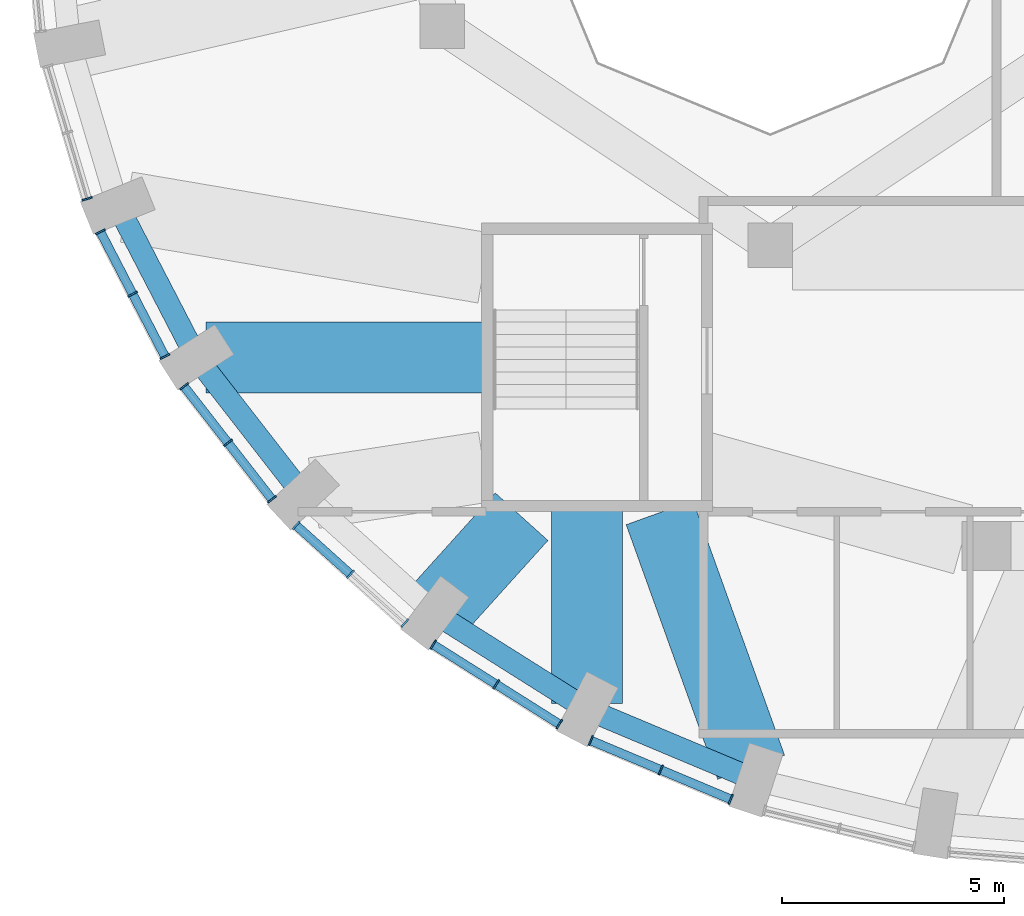
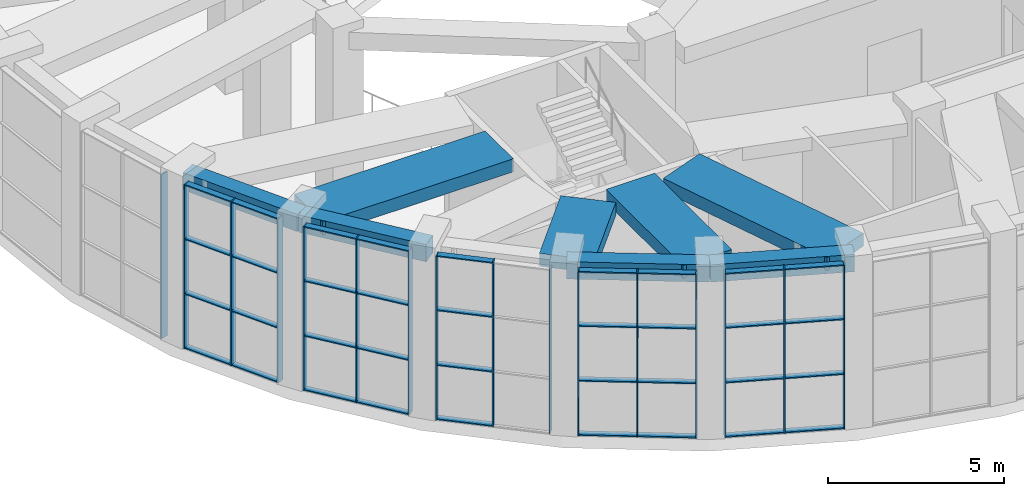
# One storey, part 2 of 20: 52 members, 8 beams, 6 elements without a shape of their own.
"""IFC4 building model written with IfcOpenShell, lengths in metres."""

from ifc_helpers import new_model, si_unit, direction, frame, origin, origin_2d, place, context, subcontext, project, spatial, rectangle, extrude, material, material_profile, profile_set, type_object, element, aggregate, save


model = new_model("IFC4")

# Units and contexts
model_context = context("Model", 3, precision=1e-05, world=origin(), true_north=direction((0.0, 1.0)))
body_context = subcontext(model_context, "Body", "Model", "MODEL_VIEW")
ifc_project = project(units=[si_unit("LENGTHUNIT", "METRE"), si_unit("AREAUNIT", "SQUARE_METRE"), si_unit("VOLUMEUNIT", "CUBIC_METRE"), si_unit("PLANEANGLEUNIT", "RADIAN"), si_unit("MASSUNIT", "GRAM", prefix="KILO")], contexts=[model_context])

# Site, building, storey
site_placement = place(None, origin())
site = spatial("IfcSite", under=ifc_project, at=site_placement, CompositionType="ELEMENT")
building_placement = place(site_placement, origin())
building = spatial("IfcBuilding", under=site, at=building_placement, Name="Taillehof Tower", CompositionType="ELEMENT")
storey_placement = place(building_placement, frame((0.0, 0.0, 269.199951171875)))
storey = spatial("IfcBuildingStorey", under=building, at=storey_placement, Name="L76", CompositionType="ELEMENT", Elevation=269.199951171875)

# Curtain wall, member
ifc_material_1 = material(Name="Aluminium curtain wall with Clear toughened laminated glass", Category="aluminium")
curtain_wall_type = type_object("IfcCurtainWallType", Name="Observation deck curtain wall", PredefinedType="USERDEFINED", material=ifc_material_1)
curtain_wall_1_placement = place(storey_placement, origin())
curtain_wall_1 = element("IfcCurtainWall", 1, at=curtain_wall_1_placement, inside=storey, type_object=curtain_wall_type, Name="Observation deck L76 bay 20", ObjectType="WINDOW WALL", PredefinedType="USERDEFINED")
ifc_material_2 = material(Name="Aluminium mullion", Category="aluminium")
ifc_material_profile_1 = material_profile(ifc_material_2, rectangle(XDim=0.239990234375, YDim=0.0400390625, at=origin_2d()), Name="AL 40x240")
ifc_profile_set_1 = profile_set([ifc_material_profile_1], Name="Aluminium mullion")
member_type_1 = type_object("IfcMemberType", Name="Observation deck mullion 40x240", PredefinedType="MULLION", material=ifc_profile_set_1)
member_1_placement = place(storey_placement, frame((-23.388671875, -6.951171875, 0.0), z_axis=(0.0, 0.0, 1.0), x_axis=(0.958457446134, 0.285235558707, 0.0)))
member_1 = element("IfcMember", 2, at=member_1_placement, type_object=member_type_1, Name="CT6E20 mullion 3", PredefinedType="MULLION", context=body_context, shape_type="SweptSolid", body=[
    extrude(rectangle(XDim=0.239990234375, YDim=0.0400390625, at=origin_2d()), origin(), (0.0, 0.0, 1.0), 5.699951171875),
])
aggregate(curtain_wall_1, [member_1])

# Curtain wall, members
curtain_wall_2_placement = place(storey_placement, origin())
curtain_wall_2 = element("IfcCurtainWall", 3, at=curtain_wall_2_placement, inside=storey, type_object=curtain_wall_type, Name="Observation deck L76 bay 21", ObjectType="WINDOW WALL", PredefinedType="USERDEFINED")
member_2_placement = place(storey_placement, frame((-23.08935546875, -7.693115234375, 0.0), z_axis=(0.0, 0.0, 1.0), x_axis=(0.887975262702, 0.459891218474, 0.0)))
member_2 = element("IfcMember", 4, at=member_2_placement, type_object=member_type_1, Name="CT6E21 mullion 1", PredefinedType="MULLION", context=body_context, shape_type="SweptSolid", body=[
    extrude(rectangle(XDim=0.239990234375, YDim=0.0400390625, at=origin_2d()), origin(), (0.0, 0.0, 1.0), 5.699951171875),
])
member_3_placement = place(storey_placement, frame((-22.362060546875, -9.097412109375, 0.0), z_axis=(0.0, 0.0, 1.0), x_axis=(0.887975262702, 0.459891218474, 0.0)))
member_3 = element("IfcMember", 5, at=member_3_placement, type_object=member_type_1, Name="CT6E21 mullion 2", PredefinedType="MULLION", context=body_context, shape_type="SweptSolid", body=[
    extrude(rectangle(XDim=0.239990234375, YDim=0.0400390625, at=origin_2d()), origin(), (0.0, 0.0, 1.0), 5.699951171875),
])
member_4_placement = place(storey_placement, frame((-21.634521484375, -10.501953125, 0.0), z_axis=(0.0, 0.0, 1.0), x_axis=(0.887975262702, 0.459891218474, 0.0)))
member_4 = element("IfcMember", 6, at=member_4_placement, type_object=member_type_1, Name="CT6E21 mullion 3", PredefinedType="MULLION", context=body_context, shape_type="SweptSolid", body=[
    extrude(rectangle(XDim=0.239990234375, YDim=0.0400390625, at=origin_2d()), origin(), (0.0, 0.0, 1.0), 5.699951171875),
])

curtain_wall_3_placement = place(storey_placement, origin())
curtain_wall_3 = element("IfcCurtainWall", 7, at=curtain_wall_3_placement, inside=storey, type_object=curtain_wall_type, Name="Observation deck L76 bay 22", ObjectType="WINDOW WALL", PredefinedType="USERDEFINED")
member_5_placement = place(storey_placement, frame((-21.203125, -11.17578125, 0.0), z_axis=(0.0, 0.0, 1.0), x_axis=(0.789381612432, 0.613902818005, 0.0)))
member_5 = element("IfcMember", 8, at=member_5_placement, type_object=member_type_1, Name="CT6E22 mullion 1", PredefinedType="MULLION", context=body_context, shape_type="SweptSolid", body=[
    extrude(rectangle(XDim=0.239990234375, YDim=0.0400390625, at=origin_2d()), origin(), (0.0, 0.0, 1.0), 5.699951171875),
])
member_6_placement = place(storey_placement, frame((-20.21337890625, -12.448486328125, 0.0), z_axis=(0.0, 0.0, 1.0), x_axis=(0.789381612432, 0.613902818005, 0.0)))
member_6 = element("IfcMember", 9, at=member_6_placement, type_object=member_type_1, Name="CT6E22 mullion 2", PredefinedType="MULLION", context=body_context, shape_type="SweptSolid", body=[
    extrude(rectangle(XDim=0.239990234375, YDim=0.0400390625, at=origin_2d()), origin(), (0.0, 0.0, 1.0), 5.699951171875),
])
member_7_placement = place(storey_placement, frame((-19.2236328125, -13.720947265625, 0.0), z_axis=(0.0, 0.0, 1.0), x_axis=(0.789381612432, 0.613902818005, 0.0)))
member_7 = element("IfcMember", 10, at=member_7_placement, type_object=member_type_1, Name="CT6E22 mullion 3", PredefinedType="MULLION", context=body_context, shape_type="SweptSolid", body=[
    extrude(rectangle(XDim=0.239990234375, YDim=0.0400390625, at=origin_2d()), origin(), (0.0, 0.0, 1.0), 5.699951171875),
])

curtain_wall_4_placement = place(storey_placement, origin())
curtain_wall_4 = element("IfcCurtainWall", 11, at=curtain_wall_4_placement, inside=storey, type_object=curtain_wall_type, Name="Observation deck L76 bay 23", ObjectType="WINDOW WALL", PredefinedType="USERDEFINED")
member_8_placement = place(storey_placement, frame((-18.6787109375, -14.306640625, 0.0), z_axis=(0.0, 0.0, 1.0), x_axis=(0.669107157872, 0.74316593792, 0.0)))
member_8 = element("IfcMember", 12, at=member_8_placement, type_object=member_type_1, Name="CT6E23 mullion 1", PredefinedType="MULLION", context=body_context, shape_type="SweptSolid", body=[
    extrude(rectangle(XDim=0.239990234375, YDim=0.0400390625, at=origin_2d()), origin(), (0.0, 0.0, 1.0), 5.699951171875),
])
member_9_placement = place(storey_placement, frame((-17.455078125, -15.408447265625, 0.0), z_axis=(0.0, 0.0, 1.0), x_axis=(0.669107157872, 0.74316593792, 0.0)))
member_9 = element("IfcMember", 13, at=member_9_placement, type_object=member_type_1, Name="CT6E23 mullion 2", PredefinedType="MULLION", context=body_context, shape_type="SweptSolid", body=[
    extrude(rectangle(XDim=0.239990234375, YDim=0.0400390625, at=origin_2d()), origin(), (0.0, 0.0, 1.0), 5.699951171875),
])
member_10_placement = place(storey_placement, frame((-16.231689453125, -16.510009765625, 0.0), z_axis=(0.0, 0.0, 1.0), x_axis=(0.669107157872, 0.74316593792, 0.0)))
member_10 = element("IfcMember", 14, at=member_10_placement, type_object=member_type_1, Name="CT6E23 mullion 3", PredefinedType="MULLION", context=body_context, shape_type="SweptSolid", body=[
    extrude(rectangle(XDim=0.239990234375, YDim=0.0400390625, at=origin_2d()), origin(), (0.0, 0.0, 1.0), 5.699951171875),
])

curtain_wall_5_placement = place(storey_placement, origin())
curtain_wall_5 = element("IfcCurtainWall", 15, at=curtain_wall_5_placement, inside=storey, type_object=curtain_wall_type, Name="Observation deck L76 bay 24", ObjectType="WINDOW WALL", PredefinedType="USERDEFINED")
member_11_placement = place(storey_placement, frame((-15.593505859375, -16.99267578125, 0.0), z_axis=(0.0, 0.0, 1.0), x_axis=(0.533294430468, 0.845929695916, 0.0)))
member_11 = element("IfcMember", 16, at=member_11_placement, type_object=member_type_1, Name="CT6E24 mullion 1", PredefinedType="MULLION", context=body_context, shape_type="SweptSolid", body=[
    extrude(rectangle(XDim=0.239990234375, YDim=0.0400390625, at=origin_2d()), origin(), (0.0, 0.0, 1.0), 5.699951171875),
])
member_12_placement = place(storey_placement, frame((-14.17236328125, -17.888671875, 0.0), z_axis=(0.0, 0.0, 1.0), x_axis=(0.533294430468, 0.845929695916, 0.0)))
member_12 = element("IfcMember", 17, at=member_12_placement, type_object=member_type_1, Name="CT6E24 mullion 2", PredefinedType="MULLION", context=body_context, shape_type="SweptSolid", body=[
    extrude(rectangle(XDim=0.239990234375, YDim=0.0400390625, at=origin_2d()), origin(), (0.0, 0.0, 1.0), 5.699951171875),
])
member_13_placement = place(storey_placement, frame((-12.7509765625, -18.78466796875, 0.0), z_axis=(0.0, 0.0, 1.0), x_axis=(0.533294430468, 0.845929695916, 0.0)))
member_13 = element("IfcMember", 18, at=member_13_placement, type_object=member_type_1, Name="CT6E24 mullion 3", PredefinedType="MULLION", context=body_context, shape_type="SweptSolid", body=[
    extrude(rectangle(XDim=0.239990234375, YDim=0.0400390625, at=origin_2d()), origin(), (0.0, 0.0, 1.0), 5.699951171875),
])

curtain_wall_6_placement = place(storey_placement, origin())
curtain_wall_6 = element("IfcCurtainWall", 19, at=curtain_wall_6_placement, inside=storey, type_object=curtain_wall_type, Name="Observation deck L76 bay 25", ObjectType="WINDOW WALL", PredefinedType="USERDEFINED")
member_14_placement = place(storey_placement, frame((-12.041259765625, -19.154052734375, 0.0), z_axis=(0.0, 0.0, 1.0), x_axis=(0.387100713636, 0.922037438233, 0.0)))
member_14 = element("IfcMember", 20, at=member_14_placement, type_object=member_type_1, Name="CT6E25 mullion 1", PredefinedType="MULLION", context=body_context, shape_type="SweptSolid", body=[
    extrude(rectangle(XDim=0.239990234375, YDim=0.0400390625, at=origin_2d()), origin(), (0.0, 0.0, 1.0), 5.699951171875),
])
member_15_placement = place(storey_placement, frame((-10.46533203125, -19.81591796875, 0.0), z_axis=(0.0, 0.0, 1.0), x_axis=(0.387100713636, 0.922037438233, 0.0)))
member_15 = element("IfcMember", 21, at=member_15_placement, type_object=member_type_1, Name="CT6E25 mullion 2", PredefinedType="MULLION", context=body_context, shape_type="SweptSolid", body=[
    extrude(rectangle(XDim=0.239990234375, YDim=0.0400390625, at=origin_2d()), origin(), (0.0, 0.0, 1.0), 5.699951171875),
])
member_16_placement = place(storey_placement, frame((-8.88916015625, -20.4775390625, 0.0), z_axis=(0.0, 0.0, 1.0), x_axis=(0.387100713636, 0.922037438233, 0.0)))
member_16 = element("IfcMember", 22, at=member_16_placement, type_object=member_type_1, Name="CT6E25 mullion 3", PredefinedType="MULLION", context=body_context, shape_type="SweptSolid", body=[
    extrude(rectangle(XDim=0.239990234375, YDim=0.0400390625, at=origin_2d()), origin(), (0.0, 0.0, 1.0), 5.699951171875),
])

# Member
ifc_material_3 = material(Name="Aluminium transom", Category="aluminium")
ifc_material_profile_2 = material_profile(ifc_material_3, rectangle(XDim=0.199951171875, YDim=0.0400390625, at=origin_2d()), Name="AL 200x40")
ifc_profile_set_2 = profile_set([ifc_material_profile_2], Name="Aluminium transom")
member_type_2 = type_object("IfcMemberType", Name="Observation deck transom 200x40", PredefinedType="USERDEFINED", material=ifc_profile_set_2)
member_17_placement = place(storey_placement, frame((-23.080078125, -7.710693359375, 0.02001953125), z_axis=(0.459836410267, -0.888003646272, 0.0), x_axis=(0.888003646272, 0.459836410267, 0.0)))
member_17 = element("IfcMember", 23, at=member_17_placement, type_object=member_type_2, Name="CT6E21 transom 1.1", ObjectType="TRANSOM", PredefinedType="USERDEFINED", context=body_context, shape_type="SweptSolid", body=[
    extrude(rectangle(XDim=0.199951171875, YDim=0.0400390625, at=origin_2d()), origin(), (0.0, 0.0, 1.0), 1.541748046875),
])

member_18_placement = place(storey_placement, frame((-23.080078125, -7.710693359375, 1.900146484375), z_axis=(0.459836410267, -0.888003646272, 0.0), x_axis=(0.888003646272, 0.459836410267, 0.0)))
member_18 = element("IfcMember", 24, at=member_18_placement, type_object=member_type_2, Name="CT6E21 transom 1.2", ObjectType="TRANSOM", PredefinedType="USERDEFINED", context=body_context, shape_type="SweptSolid", body=[
    extrude(rectangle(XDim=0.199951171875, YDim=0.0400390625, at=origin_2d()), origin(), (0.0, 0.0, 1.0), 1.541748046875),
])

member_19_placement = place(storey_placement, frame((-23.080078125, -7.710693359375, 3.800048828125), z_axis=(0.459836410267, -0.888003646272, 0.0), x_axis=(0.888003646272, 0.459836410267, 0.0)))
member_19 = element("IfcMember", 25, at=member_19_placement, type_object=member_type_2, Name="CT6E21 transom 1.3", ObjectType="TRANSOM", PredefinedType="USERDEFINED", context=body_context, shape_type="SweptSolid", body=[
    extrude(rectangle(XDim=0.199951171875, YDim=0.0400390625, at=origin_2d()), origin(), (0.0, 0.0, 1.0), 1.541748046875),
])

member_20_placement = place(storey_placement, frame((-23.080078125, -7.710693359375, 5.679931640625), z_axis=(0.459836410267, -0.888003646272, 0.0), x_axis=(0.888003646272, 0.459836410267, 0.0)))
member_20 = element("IfcMember", 26, at=member_20_placement, type_object=member_type_2, Name="CT6E21 transom 1.4", ObjectType="TRANSOM", PredefinedType="USERDEFINED", context=body_context, shape_type="SweptSolid", body=[
    extrude(rectangle(XDim=0.199951171875, YDim=0.0400390625, at=origin_2d()), origin(), (0.0, 0.0, 1.0), 1.541748046875),
])

member_21_placement = place(storey_placement, frame((-22.352783203125, -9.115234375, 0.02001953125), z_axis=(0.459901076525, -0.88797015705, 0.0), x_axis=(0.88797015705, 0.459901076525, 0.0)))
member_21 = element("IfcMember", 27, at=member_21_placement, type_object=member_type_2, Name="CT6E21 transom 2.1", ObjectType="TRANSOM", PredefinedType="USERDEFINED", context=body_context, shape_type="SweptSolid", body=[
    extrude(rectangle(XDim=0.199951171875, YDim=0.0400390625, at=origin_2d()), origin(), (0.0, 0.0, 1.0), 1.54150390625),
])

member_22_placement = place(storey_placement, frame((-22.352783203125, -9.115234375, 1.900146484375), z_axis=(0.459901076525, -0.88797015705, 0.0), x_axis=(0.88797015705, 0.459901076525, 0.0)))
member_22 = element("IfcMember", 28, at=member_22_placement, type_object=member_type_2, Name="CT6E21 transom 2.2", ObjectType="TRANSOM", PredefinedType="USERDEFINED", context=body_context, shape_type="SweptSolid", body=[
    extrude(rectangle(XDim=0.199951171875, YDim=0.0400390625, at=origin_2d()), origin(), (0.0, 0.0, 1.0), 1.54150390625),
])

member_23_placement = place(storey_placement, frame((-22.352783203125, -9.115234375, 3.800048828125), z_axis=(0.459901076525, -0.88797015705, 0.0), x_axis=(0.88797015705, 0.459901076525, 0.0)))
member_23 = element("IfcMember", 29, at=member_23_placement, type_object=member_type_2, Name="CT6E21 transom 2.3", ObjectType="TRANSOM", PredefinedType="USERDEFINED", context=body_context, shape_type="SweptSolid", body=[
    extrude(rectangle(XDim=0.199951171875, YDim=0.0400390625, at=origin_2d()), origin(), (0.0, 0.0, 1.0), 1.54150390625),
])

member_24_placement = place(storey_placement, frame((-22.352783203125, -9.115234375, 5.679931640625), z_axis=(0.459901076525, -0.88797015705, 0.0), x_axis=(0.88797015705, 0.459901076525, 0.0)))
member_24 = element("IfcMember", 30, at=member_24_placement, type_object=member_type_2, Name="CT6E21 transom 2.4", ObjectType="TRANSOM", PredefinedType="USERDEFINED", context=body_context, shape_type="SweptSolid", body=[
    extrude(rectangle(XDim=0.199951171875, YDim=0.0400390625, at=origin_2d()), origin(), (0.0, 0.0, 1.0), 1.54150390625),
])

aggregate(curtain_wall_2, [member_2, member_3, member_4, member_17, member_18, member_19, member_20, member_21, member_22, member_23, member_24])

member_25_placement = place(storey_placement, frame((-21.19091796875, -11.19140625, 0.02001953125), z_axis=(0.613822354834, -0.789444182134, 0.0), x_axis=(0.789444182134, 0.613822354834, 0.0)))
member_25 = element("IfcMember", 31, at=member_25_placement, type_object=member_type_2, Name="CT6E22 transom 1.1", ObjectType="TRANSOM", PredefinedType="USERDEFINED", context=body_context, shape_type="SweptSolid", body=[
    extrude(rectangle(XDim=0.199951171875, YDim=0.0400390625, at=origin_2d()), origin(), (0.0, 0.0, 1.0), 1.572265625),
])

member_26_placement = place(storey_placement, frame((-21.19091796875, -11.19140625, 1.900146484375), z_axis=(0.613822354834, -0.789444182134, 0.0), x_axis=(0.789444182134, 0.613822354834, 0.0)))
member_26 = element("IfcMember", 32, at=member_26_placement, type_object=member_type_2, Name="CT6E22 transom 1.2", ObjectType="TRANSOM", PredefinedType="USERDEFINED", context=body_context, shape_type="SweptSolid", body=[
    extrude(rectangle(XDim=0.199951171875, YDim=0.0400390625, at=origin_2d()), origin(), (0.0, 0.0, 1.0), 1.572265625),
])

member_27_placement = place(storey_placement, frame((-21.19091796875, -11.19140625, 3.800048828125), z_axis=(0.613822354834, -0.789444182134, 0.0), x_axis=(0.789444182134, 0.613822354834, 0.0)))
member_27 = element("IfcMember", 33, at=member_27_placement, type_object=member_type_2, Name="CT6E22 transom 1.3", ObjectType="TRANSOM", PredefinedType="USERDEFINED", context=body_context, shape_type="SweptSolid", body=[
    extrude(rectangle(XDim=0.199951171875, YDim=0.0400390625, at=origin_2d()), origin(), (0.0, 0.0, 1.0), 1.572265625),
])

member_28_placement = place(storey_placement, frame((-21.19091796875, -11.19140625, 5.679931640625), z_axis=(0.613822354834, -0.789444182134, 0.0), x_axis=(0.789444182134, 0.613822354834, 0.0)))
member_28 = element("IfcMember", 34, at=member_28_placement, type_object=member_type_2, Name="CT6E22 transom 1.4", ObjectType="TRANSOM", PredefinedType="USERDEFINED", context=body_context, shape_type="SweptSolid", body=[
    extrude(rectangle(XDim=0.199951171875, YDim=0.0400390625, at=origin_2d()), origin(), (0.0, 0.0, 1.0), 1.572265625),
])

member_29_placement = place(storey_placement, frame((-20.201171875, -12.464111328125, 0.02001953125), z_axis=(0.613822354834, -0.789444182134, 0.0), x_axis=(0.789444182134, 0.613822354834, 0.0)))
member_29 = element("IfcMember", 35, at=member_29_placement, type_object=member_type_2, Name="CT6E22 transom 2.1", ObjectType="TRANSOM", PredefinedType="USERDEFINED", context=body_context, shape_type="SweptSolid", body=[
    extrude(rectangle(XDim=0.199951171875, YDim=0.0400390625, at=origin_2d()), origin(), (0.0, 0.0, 1.0), 1.572265625),
])

member_30_placement = place(storey_placement, frame((-20.201171875, -12.464111328125, 1.900146484375), z_axis=(0.613822354834, -0.789444182134, 0.0), x_axis=(0.789444182134, 0.613822354834, 0.0)))
member_30 = element("IfcMember", 36, at=member_30_placement, type_object=member_type_2, Name="CT6E22 transom 2.2", ObjectType="TRANSOM", PredefinedType="USERDEFINED", context=body_context, shape_type="SweptSolid", body=[
    extrude(rectangle(XDim=0.199951171875, YDim=0.0400390625, at=origin_2d()), origin(), (0.0, 0.0, 1.0), 1.572265625),
])

member_31_placement = place(storey_placement, frame((-20.201171875, -12.464111328125, 3.800048828125), z_axis=(0.613822354834, -0.789444182134, 0.0), x_axis=(0.789444182134, 0.613822354834, 0.0)))
member_31 = element("IfcMember", 37, at=member_31_placement, type_object=member_type_2, Name="CT6E22 transom 2.3", ObjectType="TRANSOM", PredefinedType="USERDEFINED", context=body_context, shape_type="SweptSolid", body=[
    extrude(rectangle(XDim=0.199951171875, YDim=0.0400390625, at=origin_2d()), origin(), (0.0, 0.0, 1.0), 1.572265625),
])

member_32_placement = place(storey_placement, frame((-20.201171875, -12.464111328125, 5.679931640625), z_axis=(0.613822354834, -0.789444182134, 0.0), x_axis=(0.789444182134, 0.613822354834, 0.0)))
member_32 = element("IfcMember", 38, at=member_32_placement, type_object=member_type_2, Name="CT6E22 transom 2.4", ObjectType="TRANSOM", PredefinedType="USERDEFINED", context=body_context, shape_type="SweptSolid", body=[
    extrude(rectangle(XDim=0.199951171875, YDim=0.0400390625, at=origin_2d()), origin(), (0.0, 0.0, 1.0), 1.572265625),
])

aggregate(curtain_wall_3, [member_5, member_6, member_7, member_25, member_26, member_27, member_28, member_29, member_30, member_31, member_32])

member_33_placement = place(storey_placement, frame((-18.663818359375, -14.320068359375, 0.02001953125), z_axis=(0.74314299492, -0.669132639393, 0.0), x_axis=(0.669132639393, 0.74314299492, 0.0)))
member_33 = element("IfcMember", 39, at=member_33_placement, type_object=member_type_2, Name="CT6E23 transom 1.1", ObjectType="TRANSOM", PredefinedType="USERDEFINED", context=body_context, shape_type="SweptSolid", body=[
    extrude(rectangle(XDim=0.199951171875, YDim=0.0400390625, at=origin_2d()), origin(), (0.0, 0.0, 1.0), 1.6064453125),
])

member_34_placement = place(storey_placement, frame((-18.663818359375, -14.320068359375, 1.900146484375), z_axis=(0.74314299492, -0.669132639393, 0.0), x_axis=(0.669132639393, 0.74314299492, 0.0)))
member_34 = element("IfcMember", 40, at=member_34_placement, type_object=member_type_2, Name="CT6E23 transom 1.2", ObjectType="TRANSOM", PredefinedType="USERDEFINED", context=body_context, shape_type="SweptSolid", body=[
    extrude(rectangle(XDim=0.199951171875, YDim=0.0400390625, at=origin_2d()), origin(), (0.0, 0.0, 1.0), 1.6064453125),
])

member_35_placement = place(storey_placement, frame((-18.663818359375, -14.320068359375, 3.800048828125), z_axis=(0.74314299492, -0.669132639393, 0.0), x_axis=(0.669132639393, 0.74314299492, 0.0)))
member_35 = element("IfcMember", 41, at=member_35_placement, type_object=member_type_2, Name="CT6E23 transom 1.3", ObjectType="TRANSOM", PredefinedType="USERDEFINED", context=body_context, shape_type="SweptSolid", body=[
    extrude(rectangle(XDim=0.199951171875, YDim=0.0400390625, at=origin_2d()), origin(), (0.0, 0.0, 1.0), 1.6064453125),
])

member_36_placement = place(storey_placement, frame((-18.663818359375, -14.320068359375, 5.679931640625), z_axis=(0.74314299492, -0.669132639393, 0.0), x_axis=(0.669132639393, 0.74314299492, 0.0)))
member_36 = element("IfcMember", 42, at=member_36_placement, type_object=member_type_2, Name="CT6E23 transom 1.4", ObjectType="TRANSOM", PredefinedType="USERDEFINED", context=body_context, shape_type="SweptSolid", body=[
    extrude(rectangle(XDim=0.199951171875, YDim=0.0400390625, at=origin_2d()), origin(), (0.0, 0.0, 1.0), 1.6064453125),
])

aggregate(curtain_wall_4, [member_8, member_9, member_10, member_33, member_34, member_35, member_36])

member_37_placement = place(storey_placement, frame((-15.57666015625, -17.00341796875, 0.02001953125), z_axis=(0.845909544428, -0.533326394102, 0.0), x_axis=(0.533326394102, 0.845909544428, 0.0)))
member_37 = element("IfcMember", 43, at=member_37_placement, type_object=member_type_2, Name="CT6E24 transom 1.1", ObjectType="TRANSOM", PredefinedType="USERDEFINED", context=body_context, shape_type="SweptSolid", body=[
    extrude(rectangle(XDim=0.199951171875, YDim=0.0400390625, at=origin_2d()), origin(), (0.0, 0.0, 1.0), 1.64013671875),
])

member_38_placement = place(storey_placement, frame((-15.57666015625, -17.00341796875, 1.900146484375), z_axis=(0.845909544428, -0.533326394102, 0.0), x_axis=(0.533326394102, 0.845909544428, 0.0)))
member_38 = element("IfcMember", 44, at=member_38_placement, type_object=member_type_2, Name="CT6E24 transom 1.2", ObjectType="TRANSOM", PredefinedType="USERDEFINED", context=body_context, shape_type="SweptSolid", body=[
    extrude(rectangle(XDim=0.199951171875, YDim=0.0400390625, at=origin_2d()), origin(), (0.0, 0.0, 1.0), 1.64013671875),
])

member_39_placement = place(storey_placement, frame((-15.57666015625, -17.00341796875, 3.800048828125), z_axis=(0.845909544428, -0.533326394102, 0.0), x_axis=(0.533326394102, 0.845909544428, 0.0)))
member_39 = element("IfcMember", 45, at=member_39_placement, type_object=member_type_2, Name="CT6E24 transom 1.3", ObjectType="TRANSOM", PredefinedType="USERDEFINED", context=body_context, shape_type="SweptSolid", body=[
    extrude(rectangle(XDim=0.199951171875, YDim=0.0400390625, at=origin_2d()), origin(), (0.0, 0.0, 1.0), 1.64013671875),
])

member_40_placement = place(storey_placement, frame((-15.57666015625, -17.00341796875, 5.679931640625), z_axis=(0.845909544428, -0.533326394102, 0.0), x_axis=(0.533326394102, 0.845909544428, 0.0)))
member_40 = element("IfcMember", 46, at=member_40_placement, type_object=member_type_2, Name="CT6E24 transom 1.4", ObjectType="TRANSOM", PredefinedType="USERDEFINED", context=body_context, shape_type="SweptSolid", body=[
    extrude(rectangle(XDim=0.199951171875, YDim=0.0400390625, at=origin_2d()), origin(), (0.0, 0.0, 1.0), 1.64013671875),
])

member_41_placement = place(storey_placement, frame((-14.1552734375, -17.8994140625, 0.02001953125), z_axis=(0.845909544428, -0.533326394102, 0.0), x_axis=(0.533326394102, 0.845909544428, 0.0)))
member_41 = element("IfcMember", 47, at=member_41_placement, type_object=member_type_2, Name="CT6E24 transom 2.1", ObjectType="TRANSOM", PredefinedType="USERDEFINED", context=body_context, shape_type="SweptSolid", body=[
    extrude(rectangle(XDim=0.199951171875, YDim=0.0400390625, at=origin_2d()), origin(), (0.0, 0.0, 1.0), 1.64013671875),
])

member_42_placement = place(storey_placement, frame((-14.1552734375, -17.8994140625, 1.900146484375), z_axis=(0.845909544428, -0.533326394102, 0.0), x_axis=(0.533326394102, 0.845909544428, 0.0)))
member_42 = element("IfcMember", 48, at=member_42_placement, type_object=member_type_2, Name="CT6E24 transom 2.2", ObjectType="TRANSOM", PredefinedType="USERDEFINED", context=body_context, shape_type="SweptSolid", body=[
    extrude(rectangle(XDim=0.199951171875, YDim=0.0400390625, at=origin_2d()), origin(), (0.0, 0.0, 1.0), 1.64013671875),
])

member_43_placement = place(storey_placement, frame((-14.1552734375, -17.8994140625, 3.800048828125), z_axis=(0.845909544428, -0.533326394102, 0.0), x_axis=(0.533326394102, 0.845909544428, 0.0)))
member_43 = element("IfcMember", 49, at=member_43_placement, type_object=member_type_2, Name="CT6E24 transom 2.3", ObjectType="TRANSOM", PredefinedType="USERDEFINED", context=body_context, shape_type="SweptSolid", body=[
    extrude(rectangle(XDim=0.199951171875, YDim=0.0400390625, at=origin_2d()), origin(), (0.0, 0.0, 1.0), 1.64013671875),
])

member_44_placement = place(storey_placement, frame((-14.1552734375, -17.8994140625, 5.679931640625), z_axis=(0.845909544428, -0.533326394102, 0.0), x_axis=(0.533326394102, 0.845909544428, 0.0)))
member_44 = element("IfcMember", 50, at=member_44_placement, type_object=member_type_2, Name="CT6E24 transom 2.4", ObjectType="TRANSOM", PredefinedType="USERDEFINED", context=body_context, shape_type="SweptSolid", body=[
    extrude(rectangle(XDim=0.199951171875, YDim=0.0400390625, at=origin_2d()), origin(), (0.0, 0.0, 1.0), 1.64013671875),
])

aggregate(curtain_wall_5, [member_11, member_12, member_13, member_37, member_38, member_39, member_40, member_41, member_42, member_43, member_44])

member_45_placement = place(storey_placement, frame((-12.02294921875, -19.161865234375, 0.02001953125), z_axis=(0.922039527132, -0.387095738036, 0.0), x_axis=(0.387095738036, 0.922039527132, 0.0)))
member_45 = element("IfcMember", 51, at=member_45_placement, type_object=member_type_2, Name="CT6E25 transom 1.1", ObjectType="TRANSOM", PredefinedType="USERDEFINED", context=body_context, shape_type="SweptSolid", body=[
    extrude(rectangle(XDim=0.199951171875, YDim=0.0400390625, at=origin_2d()), origin(), (0.0, 0.0, 1.0), 1.66943359375),
])

member_46_placement = place(storey_placement, frame((-12.02294921875, -19.161865234375, 1.900146484375), z_axis=(0.922039527132, -0.387095738036, 0.0), x_axis=(0.387095738036, 0.922039527132, 0.0)))
member_46 = element("IfcMember", 52, at=member_46_placement, type_object=member_type_2, Name="CT6E25 transom 1.2", ObjectType="TRANSOM", PredefinedType="USERDEFINED", context=body_context, shape_type="SweptSolid", body=[
    extrude(rectangle(XDim=0.199951171875, YDim=0.0400390625, at=origin_2d()), origin(), (0.0, 0.0, 1.0), 1.66943359375),
])

member_47_placement = place(storey_placement, frame((-12.02294921875, -19.161865234375, 3.800048828125), z_axis=(0.922039527132, -0.387095738036, 0.0), x_axis=(0.387095738036, 0.922039527132, 0.0)))
member_47 = element("IfcMember", 53, at=member_47_placement, type_object=member_type_2, Name="CT6E25 transom 1.3", ObjectType="TRANSOM", PredefinedType="USERDEFINED", context=body_context, shape_type="SweptSolid", body=[
    extrude(rectangle(XDim=0.199951171875, YDim=0.0400390625, at=origin_2d()), origin(), (0.0, 0.0, 1.0), 1.66943359375),
])

member_48_placement = place(storey_placement, frame((-12.02294921875, -19.161865234375, 5.679931640625), z_axis=(0.922039527132, -0.387095738036, 0.0), x_axis=(0.387095738036, 0.922039527132, 0.0)))
member_48 = element("IfcMember", 54, at=member_48_placement, type_object=member_type_2, Name="CT6E25 transom 1.4", ObjectType="TRANSOM", PredefinedType="USERDEFINED", context=body_context, shape_type="SweptSolid", body=[
    extrude(rectangle(XDim=0.199951171875, YDim=0.0400390625, at=origin_2d()), origin(), (0.0, 0.0, 1.0), 1.66943359375),
])

member_49_placement = place(storey_placement, frame((-10.44677734375, -19.82373046875, 0.02001953125), z_axis=(0.922039527132, -0.387095738036, 0.0), x_axis=(0.387095738036, 0.922039527132, 0.0)))
member_49 = element("IfcMember", 55, at=member_49_placement, type_object=member_type_2, Name="CT6E25 transom 2.1", ObjectType="TRANSOM", PredefinedType="USERDEFINED", context=body_context, shape_type="SweptSolid", body=[
    extrude(rectangle(XDim=0.199951171875, YDim=0.0400390625, at=origin_2d()), origin(), (0.0, 0.0, 1.0), 1.66943359375),
])

member_50_placement = place(storey_placement, frame((-10.44677734375, -19.82373046875, 1.900146484375), z_axis=(0.922039527132, -0.387095738036, 0.0), x_axis=(0.387095738036, 0.922039527132, 0.0)))
member_50 = element("IfcMember", 56, at=member_50_placement, type_object=member_type_2, Name="CT6E25 transom 2.2", ObjectType="TRANSOM", PredefinedType="USERDEFINED", context=body_context, shape_type="SweptSolid", body=[
    extrude(rectangle(XDim=0.199951171875, YDim=0.0400390625, at=origin_2d()), origin(), (0.0, 0.0, 1.0), 1.66943359375),
])

member_51_placement = place(storey_placement, frame((-10.44677734375, -19.82373046875, 3.800048828125), z_axis=(0.922039527132, -0.387095738036, 0.0), x_axis=(0.387095738036, 0.922039527132, 0.0)))
member_51 = element("IfcMember", 57, at=member_51_placement, type_object=member_type_2, Name="CT6E25 transom 2.3", ObjectType="TRANSOM", PredefinedType="USERDEFINED", context=body_context, shape_type="SweptSolid", body=[
    extrude(rectangle(XDim=0.199951171875, YDim=0.0400390625, at=origin_2d()), origin(), (0.0, 0.0, 1.0), 1.66943359375),
])

member_52_placement = place(storey_placement, frame((-10.44677734375, -19.82373046875, 5.679931640625), z_axis=(0.922039527132, -0.387095738036, 0.0), x_axis=(0.387095738036, 0.922039527132, 0.0)))
member_52 = element("IfcMember", 58, at=member_52_placement, type_object=member_type_2, Name="CT6E25 transom 2.4", ObjectType="TRANSOM", PredefinedType="USERDEFINED", context=body_context, shape_type="SweptSolid", body=[
    extrude(rectangle(XDim=0.199951171875, YDim=0.0400390625, at=origin_2d()), origin(), (0.0, 0.0, 1.0), 1.66943359375),
])

aggregate(curtain_wall_6, [member_14, member_15, member_16, member_45, member_46, member_47, member_48, member_49, member_50, member_51, member_52])

# Beams
ifc_material_4 = material(Name="Concrete C50/60", Category="concrete")
ifc_material_profile_3 = material_profile(ifc_material_4, rectangle(XDim=1.60009765625, YDim=0.449951171875, at=origin_2d()), Name="RC 1600x450")
ifc_profile_set_3 = profile_set([ifc_material_profile_3], Name="Concrete C50/60")
beam_type_1 = type_object("IfcBeamType", Name="Radial band beam C50/60 1600x450", PredefinedType="BEAM", material=ifc_profile_set_3)
beam_1_placement = place(storey_placement, frame((-20.7119140625, -10.52490234375, 5.47509765625), z_axis=(1.0, 0.0, 0.0), x_axis=(0.0, 1.0, 0.0)))
element("IfcBeam", 59, at=beam_1_placement, inside=storey, type_object=beam_type_1, Name="Radial band beam RB22", PredefinedType="BEAM", context=body_context, shape_type="SweptSolid", body=[
    extrude(rectangle(XDim=1.60009765625, YDim=0.449951171875, at=origin_2d()), origin(), (0.0, 0.0, 1.0), 6.261962890625),
])
beam_2_placement = place(storey_placement, frame((-15.55908203125, -16.284912109375, 5.47509765625), z_axis=(0.669439419649, 0.742866652516, 0.0), x_axis=(-0.742866652516, 0.669439419649, 0.0)))
element("IfcBeam", 60, at=beam_2_placement, inside=storey, type_object=beam_type_1, Name="Radial band beam RB24", PredefinedType="BEAM", context=body_context, shape_type="SweptSolid", body=[
    extrude(rectangle(XDim=1.60009765625, YDim=0.449951171875, at=origin_2d()), origin(), (0.0, 0.0, 1.0), 2.926025390625),
])
beam_3_placement = place(storey_placement, frame((-12.125, -18.3154296875, 5.47509765625), z_axis=(0.0, 1.0, 0.0), x_axis=(-1.0, 0.0, 0.0)))
element("IfcBeam", 61, at=beam_3_placement, inside=storey, type_object=beam_type_1, Name="Radial band beam RB25", PredefinedType="BEAM", context=body_context, shape_type="SweptSolid", body=[
    extrude(rectangle(XDim=1.60009765625, YDim=0.449951171875, at=origin_2d()), origin(), (0.0, 0.0, 1.0), 4.365478515625),
])
beam_4_placement = place(storey_placement, frame((-8.42919921875, -19.755859375, 5.47509765625), z_axis=(-0.338515207556, 0.940960920683, 0.0), x_axis=(-0.940960920683, -0.338515207556, 0.0)))
element("IfcBeam", 62, at=beam_4_placement, inside=storey, type_object=beam_type_1, Name="Radial band beam RB26", PredefinedType="BEAM", context=body_context, shape_type="SweptSolid", body=[
    extrude(rectangle(XDim=1.60009765625, YDim=0.449951171875, at=origin_2d()), origin(), (0.0, 0.0, 1.0), 6.094970703125),
])
ifc_material_5 = material(Name="Concrete C50/60", Category="concrete")
ifc_material_profile_4 = material_profile(ifc_material_5, rectangle(XDim=0.5, YDim=0.60009765625, at=origin_2d()), Name="RC 500x600")
ifc_profile_set_4 = profile_set([ifc_material_profile_4], Name="Concrete C50/60")
beam_type_2 = type_object("IfcBeamType", Name="Spandrel beam C50/60 500x600", PredefinedType="SPANDREL", material=ifc_profile_set_4)
beam_5_placement = place(storey_placement, frame((-22.69970703125, -7.104736328125, 5.400146484375), z_axis=(0.459971160554, -0.88793385534, 0.0), x_axis=(0.88793385534, 0.459971160554, 0.0)))
element("IfcBeam", 63, at=beam_5_placement, inside=storey, type_object=beam_type_2, Name="Spandrel beam SB21", PredefinedType="SPANDREL", context=body_context, shape_type="SweptSolid", body=[
    extrude(rectangle(XDim=0.5, YDim=0.60009765625, at=origin_2d()), origin(), (0.0, 0.0, 1.0), 3.851806640625),
])
beam_6_placement = place(storey_placement, frame((-20.927978515625, -10.52490234375, 5.400146484375), z_axis=(0.613940613515, -0.789352217376, 0.0), x_axis=(0.789352217376, 0.613940613515, 0.0)))
element("IfcBeam", 64, at=beam_6_placement, inside=storey, type_object=beam_type_2, Name="Spandrel beam SB22", PredefinedType="SPANDREL", context=body_context, shape_type="SweptSolid", body=[
    extrude(rectangle(XDim=0.5, YDim=0.60009765625, at=origin_2d()), origin(), (0.0, 0.0, 1.0), 3.91650390625),
])
beam_7_placement = place(storey_placement, frame((-15.55908203125, -16.284912109375, 5.400146484375), z_axis=(0.845971606716, -0.533227944344, 0.0), x_axis=(0.533227944344, 0.845971606716, 0.0)))
element("IfcBeam", 65, at=beam_7_placement, inside=storey, type_object=beam_type_2, Name="Spandrel beam SB24", PredefinedType="SPANDREL", context=body_context, shape_type="SweptSolid", body=[
    extrude(rectangle(XDim=0.5, YDim=0.60009765625, at=origin_2d()), origin(), (0.0, 0.0, 1.0), 4.059326171875),
])
beam_8_placement = place(storey_placement, frame((-12.125, -18.449462890625, 5.400146484375), z_axis=(0.922046399446, -0.387079368178, 0.0), x_axis=(0.387079368178, 0.922046399446, 0.0)))
element("IfcBeam", 66, at=beam_8_placement, inside=storey, type_object=beam_type_2, Name="Spandrel beam SB25", PredefinedType="SPANDREL", context=body_context, shape_type="SweptSolid", body=[
    extrude(rectangle(XDim=0.5, YDim=0.60009765625, at=origin_2d()), origin(), (0.0, 0.0, 1.0), 4.12060546875),
])

save(model, "model.ifc")
